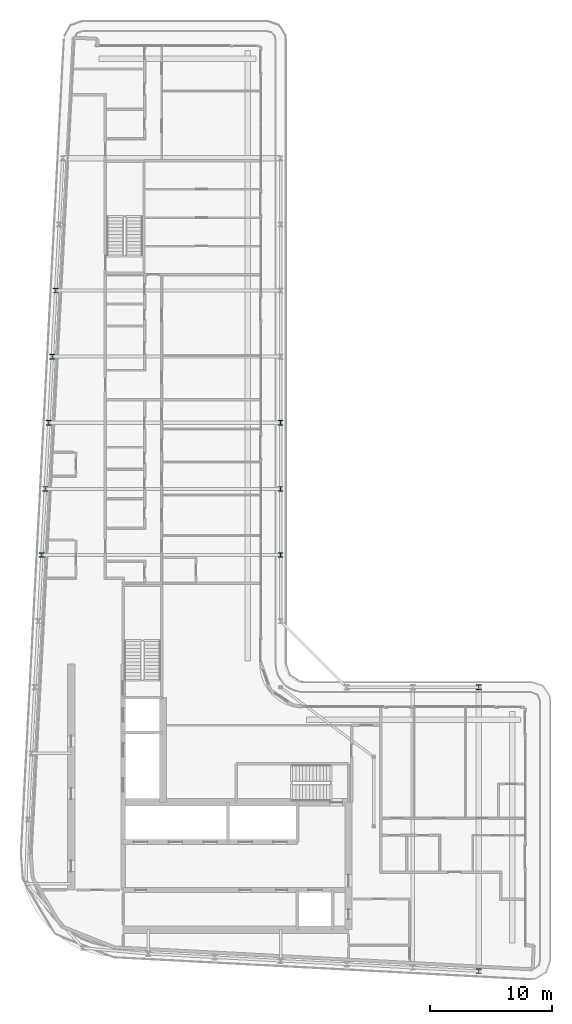
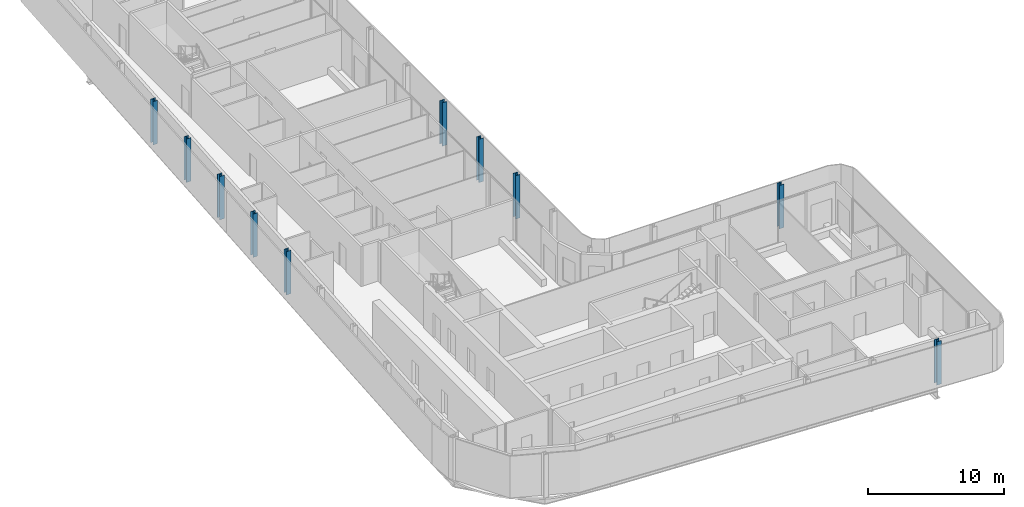
# One storey, part 3 of 21: 10 columns.
"""IFC4 building model written with IfcOpenShell, lengths in metres."""

from ifc_helpers import new_model, si_unit, direction, frame, origin, origin_2d, place, context, subcontext, project, spatial, i_section, extrude, material, material_profile, profile_set, type_object, element, save


model = new_model("IFC4")

# Units and contexts
model_context = context("Model", 3, precision=1e-05, world=origin(), true_north=direction((0.0, 1.0)))
body_context = subcontext(model_context, "Body", "Model", "MODEL_VIEW")
ifc_project = project(units=[si_unit("LENGTHUNIT", "METRE"), si_unit("AREAUNIT", "SQUARE_METRE"), si_unit("VOLUMEUNIT", "CUBIC_METRE"), si_unit("PLANEANGLEUNIT", "RADIAN"), si_unit("MASSUNIT", "GRAM", prefix="KILO")], contexts=[model_context])

# Site, building, storey
site_placement = place(None, origin())
site = spatial("IfcSite", under=ifc_project, at=site_placement, CompositionType="ELEMENT")
building_placement = place(site_placement, origin())
building = spatial("IfcBuilding", under=site, at=building_placement, Name="Kheshtan School and Residences Tower", CompositionType="ELEMENT")
storey_placement = place(building_placement, frame((0.0, 0.0, 309.800048828125)))
storey = spatial("IfcBuildingStorey", under=building, at=storey_placement, Name="L73", CompositionType="ELEMENT", Elevation=309.800048828125)

# Columns
ifc_material = material(Name="Steel ASTM A992 Grade 50", Category="steel")
ifc_material_profile = material_profile(ifc_material, i_section(OverallWidth=0.39501953125, OverallDepth=0.3798828125, WebThickness=0.018798828125, FlangeThickness=0.0302734375, FilletRadius=0.011474609375, at=origin_2d()), Name="W360x237")
ifc_profile_set = profile_set([ifc_material_profile], Name="Steel ASTM A992 Grade 50")
column_type = type_object("IfcColumnType", Name="Column C5 W360x237 ASTM A992 Grade 50", PredefinedType="COLUMN", material=ifc_profile_set)
for number, where, z_axis, x_axis, name in (
    (1, (63.800048828125, 22.410888671875, 0.0), (0.0, 0.0, 1.0), (1.0, 0.0, 0.0), "Column C016"),
    (2, (63.800048828125, 45.60009765625, 0.0), (0.0, 0.0, 1.0), (1.0, 0.0, 0.0), "Column C063"),
    (3, (28.10595703125, 56.39990234375, 0.0), (0.0, 0.0, 1.0), (1.0, 0.0, 0.0), "Column C080"),
    (4, (47.60009765625, 56.39990234375, 0.0), (0.0, 0.0, 1.0), (1.0, 0.0, 0.0), "Column C081"),
    (5, (28.389892578125, 61.800048828125, 0.0), (0.0, 0.0, 1.0), (1.0, 0.0, 0.0), "Column C082"),
    (6, (47.60009765625, 61.800048828125, 0.0), (0.0, 0.0, 1.0), (1.0, 0.0, 0.0), "Column C083"),
    (7, (28.674072265625, 67.199951171875, 0.0), (0.0, 0.0, 1.0), (1.0, 0.0, 0.0), "Column C084"),
    (8, (47.60009765625, 67.199951171875, 0.0), (0.0, 0.0, 1.0), (1.0, 0.0, 0.0), "Column C085"),
    (9, (28.9580078125, 72.60009765625, 0.0), (0.0, 0.0, 1.0), (1.0, 0.0, 0.0), "Column C086"),
    (10, (29.242919921875, 78.0, 0.0), (0.0, 0.0, 1.0), (1.0, 0.0, 0.0), "Column C088"),
):
    element("IfcColumn", number, at=place(storey_placement, frame(where, z_axis=z_axis, x_axis=x_axis)), inside=storey, type_object=column_type, Name=name, PredefinedType="COLUMN", context=body_context, shape_type="SweptSolid", body=[
        extrude(i_section(OverallWidth=0.39501953125, OverallDepth=0.3798828125, WebThickness=0.018798828125, FlangeThickness=0.0302734375, FilletRadius=0.011474609375, at=origin_2d()), origin(), (0.0, 0.0, 1.0), 3.89990234375),
    ])

save(model, "model.ifc")
